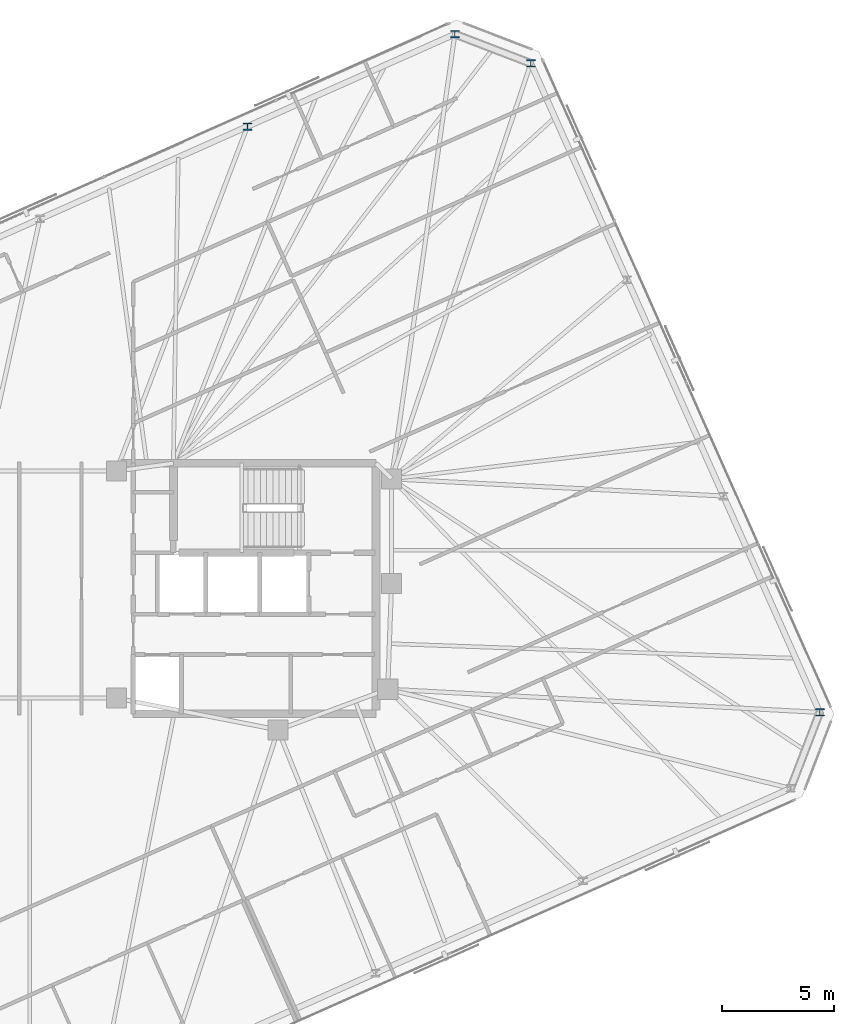
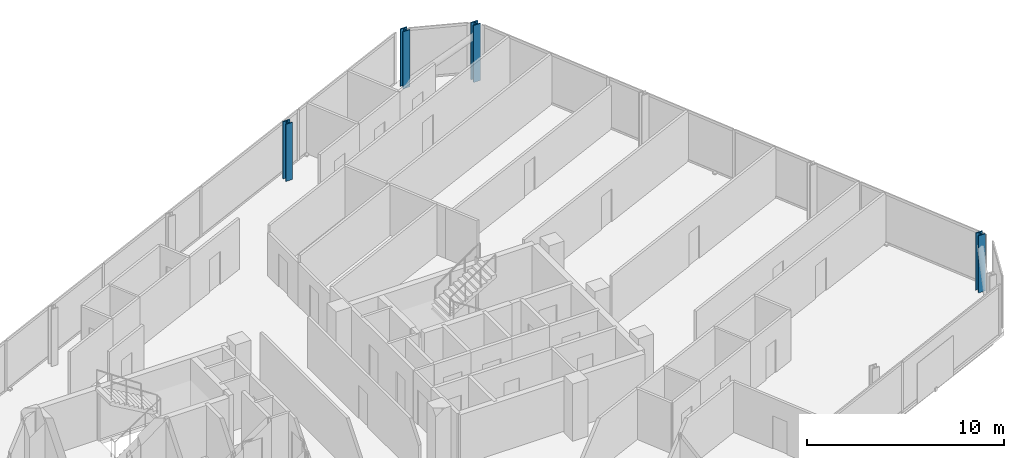
# One storey, part 4 of 19: 4 columns.
"""IFC4 building model written with IfcOpenShell, lengths in metres."""

from ifc_helpers import new_model, si_unit, direction, frame, origin, origin_2d, place, context, subcontext, project, spatial, i_section, extrude, material, material_profile, profile_set, type_object, element, save


model = new_model("IFC4")

# Units and contexts
model_context = context("Model", 3, precision=1e-05, world=origin(), true_north=direction((0.0, 1.0)))
body_context = subcontext(model_context, "Body", "Model", "MODEL_VIEW")
ifc_project = project(units=[si_unit("LENGTHUNIT", "METRE"), si_unit("AREAUNIT", "SQUARE_METRE"), si_unit("VOLUMEUNIT", "CUBIC_METRE"), si_unit("PLANEANGLEUNIT", "RADIAN"), si_unit("MASSUNIT", "GRAM", prefix="KILO")], contexts=[model_context])

# Site, building, storey
site_placement = place(None, origin())
site = spatial("IfcSite", under=ifc_project, at=site_placement, CompositionType="ELEMENT")
building_placement = place(site_placement, origin())
building = spatial("IfcBuilding", under=site, at=building_placement, Name="Menara Jurai Vektor", CompositionType="ELEMENT")
storey_placement = place(building_placement, frame((0.0, 0.0, 302.0)))
storey = spatial("IfcBuildingStorey", under=building, at=storey_placement, Name="L81", CompositionType="ELEMENT", Elevation=302.0)

# Columns
ifc_material = material(Name="Steel S460", Category="steel")
ifc_material_profile = material_profile(ifc_material, i_section(OverallWidth=0.40087890625, OverallDepth=0.3349609375, WebThickness=0.035888671875, FlangeThickness=0.05810546875, FilletRadius=0.014892578125, at=origin_2d()), Name="HD 400x463")
ifc_profile_set = profile_set([ifc_material_profile], Name="Steel S460")
column_type = type_object("IfcColumnType", Name="STR-EXO-BLK5", PredefinedType="COLUMN", material=ifc_profile_set)
for number, where, z_axis, x_axis, name in (
    (1, (34.3916015625, -5.536865234375, 0.0), (0.0, 0.0, 1.0), (1.0, 0.0, 0.0), "Exoskeleton Column BLK5-E1 L81"),
    (2, (21.4755859375, 23.473388671875, 0.0), (0.0, 0.0, 1.0), (1.0, 0.0, 0.0), "Exoskeleton Column BLK5-E4 L81"),
    (3, (18.07958984375, 24.777099609375, 0.0), (0.0, 0.0, 1.0), (1.0, 0.0, 0.0), "Exoskeleton Column BLK5-N1 L81"),
    (4, (8.805908203125, 20.648193359375, 0.0), (0.0, 0.0, 1.0), (1.0, 0.0, 0.0), "Exoskeleton Column BLK5-N2 L81"),
):
    element("IfcColumn", number, at=place(storey_placement, frame(where, z_axis=z_axis, x_axis=x_axis)), inside=storey, type_object=column_type, Name=name, PredefinedType="COLUMN", context=body_context, shape_type="SweptSolid", body=[
        extrude(i_section(OverallWidth=0.40087890625, OverallDepth=0.3349609375, WebThickness=0.035888671875, FlangeThickness=0.05810546875, FilletRadius=0.014892578125, at=origin_2d()), origin(), (0.0, 0.0, 1.0), 3.550048828125),
    ])

save(model, "model.ifc")
